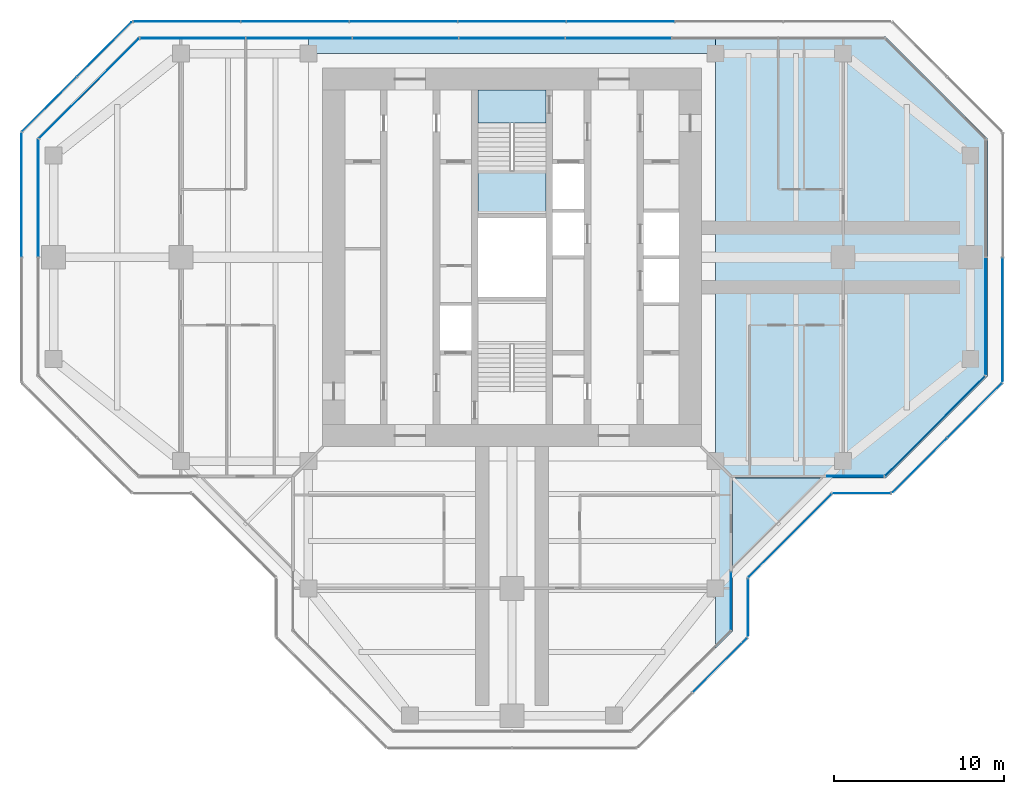
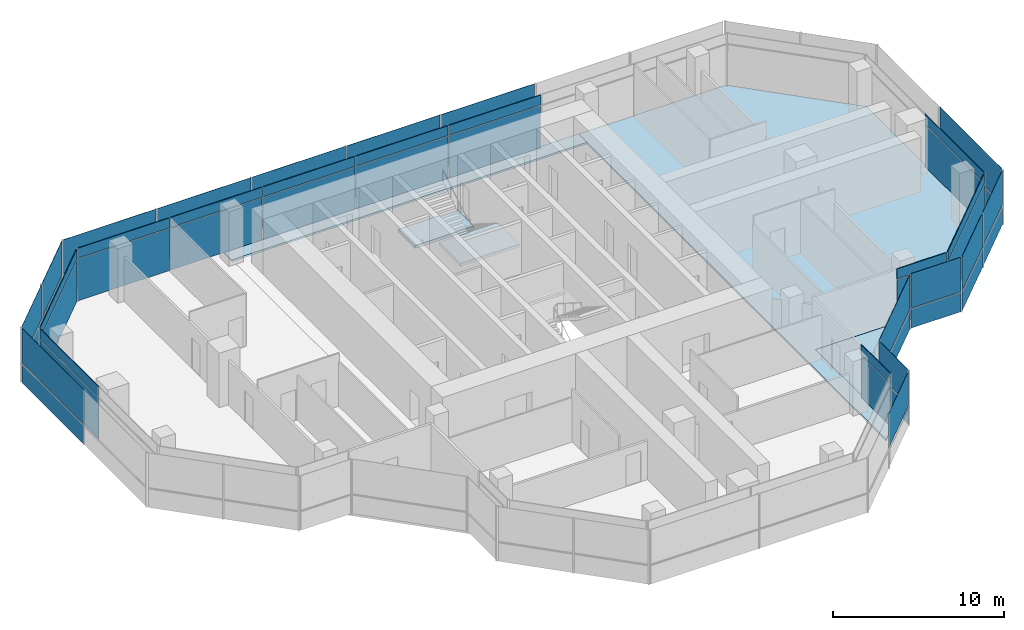
# One storey, part 10 of 16: 51 plates, 5 slabs, 17 elements without a shape of their own.
"""IFC4 building model written with IfcOpenShell, lengths in metres."""

from ifc_helpers import new_model, si_unit, direction, frame, origin, origin_2d, place, context, subcontext, project, spatial, polyline, rectangle, outline, extrude, material, layer, layer_set, type_object, element, aggregate, save


model = new_model("IFC4")

# Units and contexts
model_context = context("Model", 3, precision=1e-05, world=origin(), true_north=direction((0.0, 1.0)))
body_context = subcontext(model_context, "Body", "Model", "MODEL_VIEW")
ifc_project = project(units=[si_unit("LENGTHUNIT", "METRE"), si_unit("AREAUNIT", "SQUARE_METRE"), si_unit("VOLUMEUNIT", "CUBIC_METRE"), si_unit("PLANEANGLEUNIT", "RADIAN"), si_unit("MASSUNIT", "GRAM", prefix="KILO")], contexts=[model_context])

# Site, building, storey
site_placement = place(None, origin())
site = spatial("IfcSite", under=ifc_project, at=site_placement, CompositionType="ELEMENT")
building_placement = place(site_placement, origin())
building = spatial("IfcBuilding", under=site, at=building_placement, Name="Mizan Broadcast Tower", CompositionType="ELEMENT")
storey_placement = place(building_placement, frame((0.0, 0.0, 294.60009765625)))
storey = spatial("IfcBuildingStorey", under=building, at=storey_placement, Name="L70", CompositionType="ELEMENT", Elevation=294.60009765625)

# Slabs
ifc_material_1 = material(Name="Concrete C32/40", Category="concrete")
ifc_layer_1 = layer(ifc_material_1, 0.1298828125)
ifc_layer_set_1 = layer_set([ifc_layer_1], Name="Concrete C32/40")
slab_type_1 = type_object("IfcSlabType", Name="COMPOSITE DECK SLAB 130", PredefinedType="FLOOR", material=ifc_layer_set_1)
slab_1_placement = place(storey_placement, frame((0.0, 0.0, -0.130126953125)))
element("IfcSlab", 1, at=slab_1_placement, inside=storey, type_object=slab_type_1, Name="Floor slab L70 east arm", PredefinedType="FLOOR", context=body_context, shape_type="SweptSolid", body=[
    extrude(outline(polyline([(12.0, -23.0), (13.0, -22.0), (13.0, -13.0), (22.0, -13.0), (28.0, -7.0), (28.0, 7.0), (22.0, 13.0), (13.0, 13.0), (12.0, 13.0), (12.0, -23.0)])), origin(), (0.0, 0.0, 1.0), 0.130126953125),
])
slab_2_placement = place(storey_placement, frame((0.0, 0.0, -0.130126953125)))
element("IfcSlab", 2, at=slab_2_placement, inside=storey, type_object=slab_type_1, Name="Floor slab L70 north arm", PredefinedType="FLOOR", context=body_context, shape_type="SweptSolid", body=[
    extrude(outline(polyline([(12.0, 13.0), (-12.0, 13.0), (-12.0, 12.0), (12.0, 12.0), (12.0, 13.0)])), origin(), (0.0, 0.0, 1.0), 0.130126953125),
])

# Curtain wall, plate
ifc_material_2 = material(Name="Aluminium framed glazing", Category="aluminium")
curtain_wall_type_1 = type_object("IfcCurtainWallType", Name="INNER SKIN TOP ZONE", PredefinedType="USERDEFINED", material=ifc_material_2)
curtain_wall_1_placement = place(storey_placement, origin())
curtain_wall_1 = element("IfcCurtainWall", 3, at=curtain_wall_1_placement, inside=storey, type_object=curtain_wall_type_1, Name="Inner skin top zone L70 E side", ObjectType="INNER SKIN TOP ZONE", PredefinedType="USERDEFINED")
ifc_material_3 = material(Name="Double glazing, clear low-e", Category="glass")
ifc_layer_2 = layer(ifc_material_3, 0.028076171875)
ifc_layer_set_2 = layer_set([ifc_layer_2], Name="Double glazing, clear low-e")
plate_type_1 = type_object("IfcPlateType", Name="INNER SKIN GLAZING UNIT", PredefinedType="CURTAIN_PANEL", material=ifc_layer_set_2)
plate_1_placement = place(storey_placement, frame((20.229248046875, -12.89990234375, 0.0), z_axis=(0.0, 0.0, 1.0), x_axis=(1.0, 0.0, 0.0)))
plate_1 = element("IfcPlate", 4, at=plate_1_placement, type_object=plate_type_1, Name="Inner skin top zone L70 E side panel 1.1", PredefinedType="CURTAIN_PANEL", context=body_context, shape_type="SweptSolid", body=[
    extrude(rectangle(XDim=3.338623046875, YDim=0.028076171875, at=origin_2d()), origin(), (0.0, 0.0, 1.0), 3.0),
])

curtain_wall_2_placement = place(storey_placement, origin())
curtain_wall_2 = element("IfcCurtainWall", 5, at=curtain_wall_2_placement, inside=storey, type_object=curtain_wall_type_1, Name="Inner skin top zone L70 E chamfer", ObjectType="INNER SKIN TOP ZONE", PredefinedType="USERDEFINED")
plate_2_placement = place(storey_placement, frame((24.92919921875, -9.92919921875, 0.0), z_axis=(0.0, 0.0, 1.0), x_axis=(0.707106781187, 0.707106781187, 0.0)))
plate_2 = element("IfcPlate", 6, at=plate_2_placement, type_object=plate_type_1, Name="Inner skin top zone L70 E chamfer panel 1.1", PredefinedType="CURTAIN_PANEL", context=body_context, shape_type="SweptSolid", body=[
    extrude(rectangle(XDim=8.282470703125, YDim=0.028076171875, at=origin_2d()), origin(), (0.0, 0.0, 1.0), 3.0),
])

curtain_wall_3_placement = place(storey_placement, origin())
curtain_wall_3 = element("IfcCurtainWall", 7, at=curtain_wall_3_placement, inside=storey, type_object=curtain_wall_type_1, Name="Inner skin top zone L70 E end", ObjectType="INNER SKIN TOP ZONE", PredefinedType="USERDEFINED")
plate_3_placement = place(storey_placement, frame((27.89990234375, -3.46435546875, 0.0), z_axis=(0.0, 0.0, 1.0), x_axis=(0.0, 1.0, 0.0)))
plate_3 = element("IfcPlate", 8, at=plate_3_placement, type_object=plate_type_1, Name="Inner skin top zone L70 E end panel 1.1", PredefinedType="CURTAIN_PANEL", context=body_context, shape_type="SweptSolid", body=[
    extrude(rectangle(XDim=6.86865234375, YDim=0.028076171875, at=origin_2d()), origin(), (0.0, 0.0, 1.0), 3.0),
])

# Curtain wall, plates
curtain_wall_4_placement = place(storey_placement, origin())
curtain_wall_4 = element("IfcCurtainWall", 9, at=curtain_wall_4_placement, inside=storey, type_object=curtain_wall_type_1, Name="Inner skin top zone L70 N end", ObjectType="INNER SKIN TOP ZONE", PredefinedType="USERDEFINED")
plate_4_placement = place(storey_placement, frame((6.27392578125, 12.89990234375, 0.0), z_axis=(0.0, 0.0, 1.0), x_axis=(-1.0, 0.0, 0.0)))
plate_4 = element("IfcPlate", 10, at=plate_4_placement, type_object=plate_type_1, Name="Inner skin top zone L70 N end panel 3.1", PredefinedType="CURTAIN_PANEL", context=body_context, shape_type="SweptSolid", body=[
    extrude(rectangle(XDim=6.2138671875, YDim=0.028076171875, at=origin_2d()), origin(), (0.0, 0.0, 1.0), 3.0),
])
plate_5_placement = place(storey_placement, frame((0.0, 12.89990234375, 0.0), z_axis=(0.0, 0.0, 1.0), x_axis=(-1.0, 0.0, 0.0)))
plate_5 = element("IfcPlate", 11, at=plate_5_placement, type_object=plate_type_1, Name="Inner skin top zone L70 N end panel 4.1", PredefinedType="CURTAIN_PANEL", context=body_context, shape_type="SweptSolid", body=[
    extrude(rectangle(XDim=6.2138671875, YDim=0.028076171875, at=origin_2d()), origin(), (0.0, 0.0, 1.0), 3.0),
])
plate_6_placement = place(storey_placement, frame((-6.27392578125, 12.89990234375, 0.0), z_axis=(0.0, 0.0, 1.0), x_axis=(-1.0, 0.0, 0.0)))
plate_6 = element("IfcPlate", 12, at=plate_6_placement, type_object=plate_type_1, Name="Inner skin top zone L70 N end panel 5.1", PredefinedType="CURTAIN_PANEL", context=body_context, shape_type="SweptSolid", body=[
    extrude(rectangle(XDim=6.2138671875, YDim=0.028076171875, at=origin_2d()), origin(), (0.0, 0.0, 1.0), 3.0),
])
plate_7_placement = place(storey_placement, frame((-12.5478515625, 12.89990234375, 0.0), z_axis=(0.0, 0.0, 1.0), x_axis=(-1.0, 0.0, 0.0)))
plate_7 = element("IfcPlate", 13, at=plate_7_placement, type_object=plate_type_1, Name="Inner skin top zone L70 N end panel 6.1", PredefinedType="CURTAIN_PANEL", context=body_context, shape_type="SweptSolid", body=[
    extrude(rectangle(XDim=6.2138671875, YDim=0.028076171875, at=origin_2d()), origin(), (0.0, 0.0, 1.0), 3.0),
])
plate_8_placement = place(storey_placement, frame((-18.806640625, 12.89990234375, 0.0), z_axis=(0.0, 0.0, 1.0), x_axis=(-1.0, 0.0, 0.0)))
plate_8 = element("IfcPlate", 14, at=plate_8_placement, type_object=plate_type_1, Name="Inner skin top zone L70 N end panel 7.1", PredefinedType="CURTAIN_PANEL", context=body_context, shape_type="SweptSolid", body=[
    extrude(rectangle(XDim=6.183837890625, YDim=0.028076171875, at=origin_2d()), origin(), (0.0, 0.0, 1.0), 3.0),
])

# Curtain wall, plate
curtain_wall_5_placement = place(storey_placement, origin())
curtain_wall_5 = element("IfcCurtainWall", 15, at=curtain_wall_5_placement, inside=storey, type_object=curtain_wall_type_1, Name="Inner skin top zone L70 W chamfer", ObjectType="INNER SKIN TOP ZONE", PredefinedType="USERDEFINED")
plate_9_placement = place(storey_placement, frame((-24.92919921875, 9.92919921875, 0.0), z_axis=(0.0, 0.0, 1.0), x_axis=(-0.707106781187, -0.707106781187, 0.0)))
plate_9 = element("IfcPlate", 16, at=plate_9_placement, type_object=plate_type_1, Name="Inner skin top zone L70 W chamfer panel 1.1", PredefinedType="CURTAIN_PANEL", context=body_context, shape_type="SweptSolid", body=[
    extrude(rectangle(XDim=8.282470703125, YDim=0.028076171875, at=origin_2d()), origin(), (0.0, 0.0, 1.0), 3.0),
])

curtain_wall_6_placement = place(storey_placement, origin())
curtain_wall_6 = element("IfcCurtainWall", 17, at=curtain_wall_6_placement, inside=storey, type_object=curtain_wall_type_1, Name="Inner skin top zone L70 W end", ObjectType="INNER SKIN TOP ZONE", PredefinedType="USERDEFINED")
plate_10_placement = place(storey_placement, frame((-27.89990234375, 3.46435546875, 0.0), z_axis=(0.0, 0.0, 1.0), x_axis=(0.0, -1.0, 0.0)))
plate_10 = element("IfcPlate", 18, at=plate_10_placement, type_object=plate_type_1, Name="Inner skin top zone L70 W end panel 1.1", PredefinedType="CURTAIN_PANEL", context=body_context, shape_type="SweptSolid", body=[
    extrude(rectangle(XDim=6.86865234375, YDim=0.028076171875, at=origin_2d()), origin(), (0.0, 0.0, 1.0), 3.0),
])

curtain_wall_7_placement = place(storey_placement, origin())
curtain_wall_7 = element("IfcCurtainWall", 19, at=curtain_wall_7_placement, inside=storey, type_object=curtain_wall_type_1, Name="Inner skin top zone L70 S side", ObjectType="INNER SKIN TOP ZONE", PredefinedType="USERDEFINED")
plate_11_placement = place(storey_placement, frame((12.89990234375, -20.229248046875, 0.0), z_axis=(0.0, 0.0, 1.0), x_axis=(0.0, 1.0, 0.0)))
plate_11 = element("IfcPlate", 20, at=plate_11_placement, type_object=plate_type_1, Name="Inner skin top zone L70 S side panel 1.1", PredefinedType="CURTAIN_PANEL", context=body_context, shape_type="SweptSolid", body=[
    extrude(rectangle(XDim=3.338623046875, YDim=0.028076171875, at=origin_2d()), origin(), (0.0, 0.0, 1.0), 3.0),
])

# Plate
ifc_material_4 = material(Name="Insulated aluminium spandrel panel, pale anodised", Category="aluminium")
ifc_layer_3 = layer(ifc_material_4, 0.050048828125)
ifc_layer_set_3 = layer_set([ifc_layer_3], Name="Insulated aluminium spandrel panel, pale anodised")
plate_type_2 = type_object("IfcPlateType", Name="INNER SKIN SPANDREL PANEL", PredefinedType="CURTAIN_PANEL", material=ifc_layer_set_3)
plate_12_placement = place(storey_placement, frame((20.229248046875, -12.89990234375, 3.059814453125), z_axis=(0.0, 0.0, 1.0), x_axis=(1.0, 0.0, 0.0)))
plate_12 = element("IfcPlate", 21, at=plate_12_placement, type_object=plate_type_2, Name="Inner skin top zone L70 E side panel 1.2", PredefinedType="CURTAIN_PANEL", context=body_context, shape_type="SweptSolid", body=[
    extrude(rectangle(XDim=3.338623046875, YDim=0.050048828125, at=origin_2d()), origin(), (0.0, 0.0, 1.0), 0.7099609375),
])

aggregate(curtain_wall_1, [plate_1, plate_12])

plate_13_placement = place(storey_placement, frame((24.92919921875, -9.92919921875, 3.059814453125), z_axis=(0.0, 0.0, 1.0), x_axis=(0.707106781187, 0.707106781187, 0.0)))
plate_13 = element("IfcPlate", 22, at=plate_13_placement, type_object=plate_type_2, Name="Inner skin top zone L70 E chamfer panel 1.2", PredefinedType="CURTAIN_PANEL", context=body_context, shape_type="SweptSolid", body=[
    extrude(rectangle(XDim=8.282470703125, YDim=0.050048828125, at=origin_2d()), origin(), (0.0, 0.0, 1.0), 0.7099609375),
])

aggregate(curtain_wall_2, [plate_2, plate_13])

plate_14_placement = place(storey_placement, frame((27.89990234375, -3.46435546875, 3.059814453125), z_axis=(0.0, 0.0, 1.0), x_axis=(0.0, 1.0, 0.0)))
plate_14 = element("IfcPlate", 23, at=plate_14_placement, type_object=plate_type_2, Name="Inner skin top zone L70 E end panel 1.2", PredefinedType="CURTAIN_PANEL", context=body_context, shape_type="SweptSolid", body=[
    extrude(rectangle(XDim=6.86865234375, YDim=0.050048828125, at=origin_2d()), origin(), (0.0, 0.0, 1.0), 0.7099609375),
])

aggregate(curtain_wall_3, [plate_3, plate_14])

plate_15_placement = place(storey_placement, frame((6.27392578125, 12.89990234375, 3.059814453125), z_axis=(0.0, 0.0, 1.0), x_axis=(-1.0, 0.0, 0.0)))
plate_15 = element("IfcPlate", 24, at=plate_15_placement, type_object=plate_type_2, Name="Inner skin top zone L70 N end panel 3.2", PredefinedType="CURTAIN_PANEL", context=body_context, shape_type="SweptSolid", body=[
    extrude(rectangle(XDim=6.2138671875, YDim=0.050048828125, at=origin_2d()), origin(), (0.0, 0.0, 1.0), 0.7099609375),
])

plate_16_placement = place(storey_placement, frame((0.0, 12.89990234375, 3.059814453125), z_axis=(0.0, 0.0, 1.0), x_axis=(-1.0, 0.0, 0.0)))
plate_16 = element("IfcPlate", 25, at=plate_16_placement, type_object=plate_type_2, Name="Inner skin top zone L70 N end panel 4.2", PredefinedType="CURTAIN_PANEL", context=body_context, shape_type="SweptSolid", body=[
    extrude(rectangle(XDim=6.2138671875, YDim=0.050048828125, at=origin_2d()), origin(), (0.0, 0.0, 1.0), 0.7099609375),
])

plate_17_placement = place(storey_placement, frame((-6.27392578125, 12.89990234375, 3.059814453125), z_axis=(0.0, 0.0, 1.0), x_axis=(-1.0, 0.0, 0.0)))
plate_17 = element("IfcPlate", 26, at=plate_17_placement, type_object=plate_type_2, Name="Inner skin top zone L70 N end panel 5.2", PredefinedType="CURTAIN_PANEL", context=body_context, shape_type="SweptSolid", body=[
    extrude(rectangle(XDim=6.2138671875, YDim=0.050048828125, at=origin_2d()), origin(), (0.0, 0.0, 1.0), 0.7099609375),
])

plate_18_placement = place(storey_placement, frame((-12.5478515625, 12.89990234375, 3.059814453125), z_axis=(0.0, 0.0, 1.0), x_axis=(-1.0, 0.0, 0.0)))
plate_18 = element("IfcPlate", 27, at=plate_18_placement, type_object=plate_type_2, Name="Inner skin top zone L70 N end panel 6.2", PredefinedType="CURTAIN_PANEL", context=body_context, shape_type="SweptSolid", body=[
    extrude(rectangle(XDim=6.2138671875, YDim=0.050048828125, at=origin_2d()), origin(), (0.0, 0.0, 1.0), 0.7099609375),
])

plate_19_placement = place(storey_placement, frame((-18.806640625, 12.89990234375, 3.059814453125), z_axis=(0.0, 0.0, 1.0), x_axis=(-1.0, 0.0, 0.0)))
plate_19 = element("IfcPlate", 28, at=plate_19_placement, type_object=plate_type_2, Name="Inner skin top zone L70 N end panel 7.2", PredefinedType="CURTAIN_PANEL", context=body_context, shape_type="SweptSolid", body=[
    extrude(rectangle(XDim=6.183837890625, YDim=0.050048828125, at=origin_2d()), origin(), (0.0, 0.0, 1.0), 0.7099609375),
])

aggregate(curtain_wall_4, [plate_4, plate_15, plate_5, plate_16, plate_6, plate_17, plate_7, plate_18, plate_8, plate_19])

plate_20_placement = place(storey_placement, frame((-24.92919921875, 9.92919921875, 3.059814453125), z_axis=(0.0, 0.0, 1.0), x_axis=(-0.707106781187, -0.707106781187, 0.0)))
plate_20 = element("IfcPlate", 29, at=plate_20_placement, type_object=plate_type_2, Name="Inner skin top zone L70 W chamfer panel 1.2", PredefinedType="CURTAIN_PANEL", context=body_context, shape_type="SweptSolid", body=[
    extrude(rectangle(XDim=8.282470703125, YDim=0.050048828125, at=origin_2d()), origin(), (0.0, 0.0, 1.0), 0.7099609375),
])

aggregate(curtain_wall_5, [plate_9, plate_20])

plate_21_placement = place(storey_placement, frame((-27.89990234375, 3.46435546875, 3.059814453125), z_axis=(0.0, 0.0, 1.0), x_axis=(0.0, -1.0, 0.0)))
plate_21 = element("IfcPlate", 30, at=plate_21_placement, type_object=plate_type_2, Name="Inner skin top zone L70 W end panel 1.2", PredefinedType="CURTAIN_PANEL", context=body_context, shape_type="SweptSolid", body=[
    extrude(rectangle(XDim=6.86865234375, YDim=0.050048828125, at=origin_2d()), origin(), (0.0, 0.0, 1.0), 0.7099609375),
])

aggregate(curtain_wall_6, [plate_10, plate_21])

plate_22_placement = place(storey_placement, frame((12.89990234375, -20.229248046875, 3.059814453125), z_axis=(0.0, 0.0, 1.0), x_axis=(0.0, 1.0, 0.0)))
plate_22 = element("IfcPlate", 31, at=plate_22_placement, type_object=plate_type_2, Name="Inner skin top zone L70 S side panel 1.2", PredefinedType="CURTAIN_PANEL", context=body_context, shape_type="SweptSolid", body=[
    extrude(rectangle(XDim=3.338623046875, YDim=0.050048828125, at=origin_2d()), origin(), (0.0, 0.0, 1.0), 0.7099609375),
])

aggregate(curtain_wall_7, [plate_11, plate_22])

# Curtain wall, plates
ifc_material_5 = material(Name="Aluminium framed glazing", Category="aluminium")
curtain_wall_type_2 = type_object("IfcCurtainWallType", Name="OUTER SKIN", PredefinedType="USERDEFINED", material=ifc_material_5)
curtain_wall_8_placement = place(storey_placement, origin())
curtain_wall_8 = element("IfcCurtainWall", 32, at=curtain_wall_8_placement, inside=storey, type_object=curtain_wall_type_2, Name="Outer skin L70 S side", ObjectType="OUTER SKIN", PredefinedType="USERDEFINED")
ifc_material_6 = material(Name="Laminated clear glass", Category="glass")
ifc_layer_4 = layer(ifc_material_6, 0.02001953125)
ifc_layer_set_4 = layer_set([ifc_layer_4], Name="Laminated clear glass")
plate_type_3 = type_object("IfcPlateType", Name="OUTER SKIN CLEAR GLASS", PredefinedType="CURTAIN_PANEL", material=ifc_layer_set_4)
plate_23_placement = place(storey_placement, frame((13.89990234375, -20.622802734375, -0.000244140625), z_axis=(0.0, 0.0, 1.0), x_axis=(0.0, 1.0, 0.0)))
plate_23 = element("IfcPlate", 33, at=plate_23_placement, type_object=plate_type_3, Name="Outer skin L70 S side panel 1.1", PredefinedType="CURTAIN_PANEL", context=body_context, shape_type="SweptSolid", body=[
    extrude(rectangle(XDim=3.340087890625, YDim=0.02001953125, at=origin_2d()), origin(), (0.0, 0.0, 1.0), 1.3701171875),
])
plate_24_placement = place(storey_placement, frame((13.89990234375, -20.622802734375, 1.4296875), z_axis=(0.0, 0.0, 1.0), x_axis=(0.0, 1.0, 0.0)))
plate_24 = element("IfcPlate", 34, at=plate_24_placement, type_object=plate_type_3, Name="Outer skin L70 S side panel 1.2", PredefinedType="CURTAIN_PANEL", context=body_context, shape_type="SweptSolid", body=[
    extrude(rectangle(XDim=3.340087890625, YDim=0.02001953125, at=origin_2d()), origin(), (0.0, 0.0, 1.0), 2.469970703125),
])
aggregate(curtain_wall_8, [plate_23, plate_24])

curtain_wall_9_placement = place(storey_placement, origin())
curtain_wall_9 = element("IfcCurtainWall", 35, at=curtain_wall_9_placement, inside=storey, type_object=curtain_wall_type_2, Name="Outer skin L70 E chamfer", ObjectType="OUTER SKIN", PredefinedType="USERDEFINED")
plate_25_placement = place(storey_placement, frame((16.386474609375, -16.386474609375, -0.000244140625), z_axis=(0.0, 0.0, 1.0), x_axis=(0.707106781187, 0.707106781187, 0.0)))
plate_25 = element("IfcPlate", 36, at=plate_25_placement, type_object=plate_type_3, Name="Outer skin L70 E chamfer panel 1.1", PredefinedType="CURTAIN_PANEL", context=body_context, shape_type="SweptSolid", body=[
    extrude(rectangle(XDim=6.87255859375, YDim=0.02001953125, at=origin_2d()), origin(), (0.0, 0.0, 1.0), 1.3701171875),
])
plate_26_placement = place(storey_placement, frame((16.386474609375, -16.386474609375, 1.4296875), z_axis=(0.0, 0.0, 1.0), x_axis=(0.707106781187, 0.707106781187, 0.0)))
plate_26 = element("IfcPlate", 37, at=plate_26_placement, type_object=plate_type_3, Name="Outer skin L70 E chamfer panel 1.2", PredefinedType="CURTAIN_PANEL", context=body_context, shape_type="SweptSolid", body=[
    extrude(rectangle(XDim=6.87255859375, YDim=0.02001953125, at=origin_2d()), origin(), (0.0, 0.0, 1.0), 2.469970703125),
])
aggregate(curtain_wall_9, [plate_25, plate_26])

curtain_wall_10_placement = place(storey_placement, origin())
curtain_wall_10 = element("IfcCurtainWall", 38, at=curtain_wall_10_placement, inside=storey, type_object=curtain_wall_type_2, Name="Outer skin L70 E side", ObjectType="OUTER SKIN", PredefinedType="USERDEFINED")
plate_27_placement = place(storey_placement, frame((20.622802734375, -13.89990234375, -0.000244140625), z_axis=(0.0, 0.0, 1.0), x_axis=(1.0, 0.0, 0.0)))
plate_27 = element("IfcPlate", 39, at=plate_27_placement, type_object=plate_type_3, Name="Outer skin L70 E side panel 1.1", PredefinedType="CURTAIN_PANEL", context=body_context, shape_type="SweptSolid", body=[
    extrude(rectangle(XDim=3.340087890625, YDim=0.02001953125, at=origin_2d()), origin(), (0.0, 0.0, 1.0), 1.3701171875),
])
plate_28_placement = place(storey_placement, frame((20.622802734375, -13.89990234375, 1.4296875), z_axis=(0.0, 0.0, 1.0), x_axis=(1.0, 0.0, 0.0)))
plate_28 = element("IfcPlate", 40, at=plate_28_placement, type_object=plate_type_3, Name="Outer skin L70 E side panel 1.2", PredefinedType="CURTAIN_PANEL", context=body_context, shape_type="SweptSolid", body=[
    extrude(rectangle(XDim=3.340087890625, YDim=0.02001953125, at=origin_2d()), origin(), (0.0, 0.0, 1.0), 2.469970703125),
])
aggregate(curtain_wall_10, [plate_27, plate_28])

curtain_wall_11_placement = place(storey_placement, origin())
curtain_wall_11 = element("IfcCurtainWall", 41, at=curtain_wall_11_placement, inside=storey, type_object=curtain_wall_type_2, Name="Outer skin L70 E chamfer", ObjectType="OUTER SKIN", PredefinedType="USERDEFINED")
plate_29_placement = place(storey_placement, frame((24.018798828125, -12.254150390625, -0.000244140625), z_axis=(0.0, 0.0, 1.0), x_axis=(0.707106781187, 0.707106781187, 0.0)))
plate_29 = element("IfcPlate", 42, at=plate_29_placement, type_object=plate_type_3, Name="Outer skin L70 E chamfer panel 1.1", PredefinedType="CURTAIN_PANEL", context=body_context, shape_type="SweptSolid", body=[
    extrude(rectangle(XDim=4.495361328125, YDim=0.02001953125, at=origin_2d()), origin(), (0.0, 0.0, 1.0), 1.3701171875),
])
plate_30_placement = place(storey_placement, frame((24.018798828125, -12.254150390625, 1.4296875), z_axis=(0.0, 0.0, 1.0), x_axis=(0.707106781187, 0.707106781187, 0.0)))
plate_30 = element("IfcPlate", 43, at=plate_30_placement, type_object=plate_type_3, Name="Outer skin L70 E chamfer panel 1.2", PredefinedType="CURTAIN_PANEL", context=body_context, shape_type="SweptSolid", body=[
    extrude(rectangle(XDim=4.495361328125, YDim=0.02001953125, at=origin_2d()), origin(), (0.0, 0.0, 1.0), 2.469970703125),
])

curtain_wall_12_placement = place(storey_placement, origin())
curtain_wall_12 = element("IfcCurtainWall", 44, at=curtain_wall_12_placement, inside=storey, type_object=curtain_wall_type_2, Name="Outer skin L70 E end", ObjectType="OUTER SKIN", PredefinedType="USERDEFINED")
plate_31_placement = place(storey_placement, frame((28.89990234375, -3.66650390625, -0.000244140625), z_axis=(0.0, 0.0, 1.0), x_axis=(0.0, 1.0, 0.0)))
plate_31 = element("IfcPlate", 45, at=plate_31_placement, type_object=plate_type_3, Name="Outer skin L70 E end panel 1.1", PredefinedType="CURTAIN_PANEL", context=body_context, shape_type="SweptSolid", body=[
    extrude(rectangle(XDim=7.252685546875, YDim=0.02001953125, at=origin_2d()), origin(), (0.0, 0.0, 1.0), 1.3701171875),
])
plate_32_placement = place(storey_placement, frame((28.89990234375, -3.66650390625, 1.4296875), z_axis=(0.0, 0.0, 1.0), x_axis=(0.0, 1.0, 0.0)))
plate_32 = element("IfcPlate", 46, at=plate_32_placement, type_object=plate_type_3, Name="Outer skin L70 E end panel 1.2", PredefinedType="CURTAIN_PANEL", context=body_context, shape_type="SweptSolid", body=[
    extrude(rectangle(XDim=7.252685546875, YDim=0.02001953125, at=origin_2d()), origin(), (0.0, 0.0, 1.0), 2.469970703125),
])
aggregate(curtain_wall_12, [plate_31, plate_32])

curtain_wall_13_placement = place(storey_placement, origin())
curtain_wall_13 = element("IfcCurtainWall", 47, at=curtain_wall_13_placement, inside=storey, type_object=curtain_wall_type_2, Name="Outer skin L70 N end", ObjectType="OUTER SKIN", PredefinedType="USERDEFINED")
plate_33_placement = place(storey_placement, frame((6.392333984375, 13.89990234375, -0.000244140625), z_axis=(0.0, 0.0, 1.0), x_axis=(-1.0, 0.0, 0.0)))
plate_33 = element("IfcPlate", 48, at=plate_33_placement, type_object=plate_type_3, Name="Outer skin L70 N end panel 3.1", PredefinedType="CURTAIN_PANEL", context=body_context, shape_type="SweptSolid", body=[
    extrude(rectangle(XDim=6.312255859375, YDim=0.02001953125, at=origin_2d()), origin(), (0.0, 0.0, 1.0), 1.3701171875),
])
plate_34_placement = place(storey_placement, frame((6.392333984375, 13.89990234375, 1.4296875), z_axis=(0.0, 0.0, 1.0), x_axis=(-1.0, 0.0, 0.0)))
plate_34 = element("IfcPlate", 49, at=plate_34_placement, type_object=plate_type_3, Name="Outer skin L70 N end panel 3.2", PredefinedType="CURTAIN_PANEL", context=body_context, shape_type="SweptSolid", body=[
    extrude(rectangle(XDim=6.312255859375, YDim=0.02001953125, at=origin_2d()), origin(), (0.0, 0.0, 1.0), 2.469970703125),
])
plate_35_placement = place(storey_placement, frame((0.0, 13.89990234375, -0.000244140625), z_axis=(0.0, 0.0, 1.0), x_axis=(-1.0, 0.0, 0.0)))
plate_35 = element("IfcPlate", 50, at=plate_35_placement, type_object=plate_type_3, Name="Outer skin L70 N end panel 4.1", PredefinedType="CURTAIN_PANEL", context=body_context, shape_type="SweptSolid", body=[
    extrude(rectangle(XDim=6.312255859375, YDim=0.02001953125, at=origin_2d()), origin(), (0.0, 0.0, 1.0), 1.3701171875),
])
plate_36_placement = place(storey_placement, frame((0.0, 13.89990234375, 1.4296875), z_axis=(0.0, 0.0, 1.0), x_axis=(-1.0, 0.0, 0.0)))
plate_36 = element("IfcPlate", 51, at=plate_36_placement, type_object=plate_type_3, Name="Outer skin L70 N end panel 4.2", PredefinedType="CURTAIN_PANEL", context=body_context, shape_type="SweptSolid", body=[
    extrude(rectangle(XDim=6.312255859375, YDim=0.02001953125, at=origin_2d()), origin(), (0.0, 0.0, 1.0), 2.469970703125),
])
plate_37_placement = place(storey_placement, frame((-6.392333984375, 13.89990234375, -0.000244140625), z_axis=(0.0, 0.0, 1.0), x_axis=(-1.0, 0.0, 0.0)))
plate_37 = element("IfcPlate", 52, at=plate_37_placement, type_object=plate_type_3, Name="Outer skin L70 N end panel 5.1", PredefinedType="CURTAIN_PANEL", context=body_context, shape_type="SweptSolid", body=[
    extrude(rectangle(XDim=6.312255859375, YDim=0.02001953125, at=origin_2d()), origin(), (0.0, 0.0, 1.0), 1.3701171875),
])
plate_38_placement = place(storey_placement, frame((-6.392333984375, 13.89990234375, 1.4296875), z_axis=(0.0, 0.0, 1.0), x_axis=(-1.0, 0.0, 0.0)))
plate_38 = element("IfcPlate", 53, at=plate_38_placement, type_object=plate_type_3, Name="Outer skin L70 N end panel 5.2", PredefinedType="CURTAIN_PANEL", context=body_context, shape_type="SweptSolid", body=[
    extrude(rectangle(XDim=6.312255859375, YDim=0.02001953125, at=origin_2d()), origin(), (0.0, 0.0, 1.0), 2.469970703125),
])
plate_39_placement = place(storey_placement, frame((-12.784423828125, 13.89990234375, -0.000244140625), z_axis=(0.0, 0.0, 1.0), x_axis=(-1.0, 0.0, 0.0)))
plate_39 = element("IfcPlate", 54, at=plate_39_placement, type_object=plate_type_3, Name="Outer skin L70 N end panel 6.1", PredefinedType="CURTAIN_PANEL", context=body_context, shape_type="SweptSolid", body=[
    extrude(rectangle(XDim=6.312255859375, YDim=0.02001953125, at=origin_2d()), origin(), (0.0, 0.0, 1.0), 1.3701171875),
])
plate_40_placement = place(storey_placement, frame((-12.784423828125, 13.89990234375, 1.4296875), z_axis=(0.0, 0.0, 1.0), x_axis=(-1.0, 0.0, 0.0)))
plate_40 = element("IfcPlate", 55, at=plate_40_placement, type_object=plate_type_3, Name="Outer skin L70 N end panel 6.2", PredefinedType="CURTAIN_PANEL", context=body_context, shape_type="SweptSolid", body=[
    extrude(rectangle(XDim=6.312255859375, YDim=0.02001953125, at=origin_2d()), origin(), (0.0, 0.0, 1.0), 2.469970703125),
])
plate_41_placement = place(storey_placement, frame((-19.15673828125, 13.89990234375, -0.000244140625), z_axis=(0.0, 0.0, 1.0), x_axis=(-1.0, 0.0, 0.0)))
plate_41 = element("IfcPlate", 56, at=plate_41_placement, type_object=plate_type_3, Name="Outer skin L70 N end panel 7.1", PredefinedType="CURTAIN_PANEL", context=body_context, shape_type="SweptSolid", body=[
    extrude(rectangle(XDim=6.272216796875, YDim=0.02001953125, at=origin_2d()), origin(), (0.0, 0.0, 1.0), 1.3701171875),
])
plate_42_placement = place(storey_placement, frame((-19.15673828125, 13.89990234375, 1.4296875), z_axis=(0.0, 0.0, 1.0), x_axis=(-1.0, 0.0, 0.0)))
plate_42 = element("IfcPlate", 57, at=plate_42_placement, type_object=plate_type_3, Name="Outer skin L70 N end panel 7.2", PredefinedType="CURTAIN_PANEL", context=body_context, shape_type="SweptSolid", body=[
    extrude(rectangle(XDim=6.272216796875, YDim=0.02001953125, at=origin_2d()), origin(), (0.0, 0.0, 1.0), 2.469970703125),
])
aggregate(curtain_wall_13, [plate_33, plate_34, plate_35, plate_36, plate_37, plate_38, plate_39, plate_40, plate_41, plate_42])

curtain_wall_14_placement = place(storey_placement, origin())
curtain_wall_14 = element("IfcCurtainWall", 58, at=curtain_wall_14_placement, inside=storey, type_object=curtain_wall_type_2, Name="Outer skin L70 W chamfer", ObjectType="OUTER SKIN", PredefinedType="USERDEFINED")
plate_43_placement = place(storey_placement, frame((-24.018798828125, 12.254150390625, -0.000244140625), z_axis=(0.0, 0.0, 1.0), x_axis=(-0.707106781187, -0.707106781187, 0.0)))
plate_43 = element("IfcPlate", 59, at=plate_43_placement, type_object=plate_type_3, Name="Outer skin L70 W chamfer panel 1.1", PredefinedType="CURTAIN_PANEL", context=body_context, shape_type="SweptSolid", body=[
    extrude(rectangle(XDim=4.495361328125, YDim=0.02001953125, at=origin_2d()), origin(), (0.0, 0.0, 1.0), 1.3701171875),
])
plate_44_placement = place(storey_placement, frame((-24.018798828125, 12.254150390625, 1.4296875), z_axis=(0.0, 0.0, 1.0), x_axis=(-0.707106781187, -0.707106781187, 0.0)))
plate_44 = element("IfcPlate", 60, at=plate_44_placement, type_object=plate_type_3, Name="Outer skin L70 W chamfer panel 1.2", PredefinedType="CURTAIN_PANEL", context=body_context, shape_type="SweptSolid", body=[
    extrude(rectangle(XDim=4.495361328125, YDim=0.02001953125, at=origin_2d()), origin(), (0.0, 0.0, 1.0), 2.469970703125),
])

curtain_wall_15_placement = place(storey_placement, origin())
curtain_wall_15 = element("IfcCurtainWall", 61, at=curtain_wall_15_placement, inside=storey, type_object=curtain_wall_type_2, Name="Outer skin L70 W end", ObjectType="OUTER SKIN", PredefinedType="USERDEFINED")
plate_45_placement = place(storey_placement, frame((-28.89990234375, 3.66650390625, -0.000244140625), z_axis=(0.0, 0.0, 1.0), x_axis=(0.0, -1.0, 0.0)))
plate_45 = element("IfcPlate", 62, at=plate_45_placement, type_object=plate_type_3, Name="Outer skin L70 W end panel 1.1", PredefinedType="CURTAIN_PANEL", context=body_context, shape_type="SweptSolid", body=[
    extrude(rectangle(XDim=7.252685546875, YDim=0.02001953125, at=origin_2d()), origin(), (0.0, 0.0, 1.0), 1.3701171875),
])
plate_46_placement = place(storey_placement, frame((-28.89990234375, 3.66650390625, 1.4296875), z_axis=(0.0, 0.0, 1.0), x_axis=(0.0, -1.0, 0.0)))
plate_46 = element("IfcPlate", 63, at=plate_46_placement, type_object=plate_type_3, Name="Outer skin L70 W end panel 1.2", PredefinedType="CURTAIN_PANEL", context=body_context, shape_type="SweptSolid", body=[
    extrude(rectangle(XDim=7.252685546875, YDim=0.02001953125, at=origin_2d()), origin(), (0.0, 0.0, 1.0), 2.469970703125),
])
aggregate(curtain_wall_15, [plate_45, plate_46])

# Curtain wall, plate
curtain_wall_16_placement = place(storey_placement, origin())
curtain_wall_16 = element("IfcCurtainWall", 64, at=curtain_wall_16_placement, inside=storey, type_object=curtain_wall_type_2, Name="Outer skin L70 S chamfer", ObjectType="OUTER SKIN", PredefinedType="USERDEFINED")
ifc_material_7 = material(Name="Perforated aluminium, pale anodised", Category="aluminium")
ifc_layer_5 = layer(ifc_material_7, 0.011962890625)
ifc_layer_set_5 = layer_set([ifc_layer_5], Name="Perforated aluminium, pale anodised")
plate_type_4 = type_object("IfcPlateType", Name="OUTER SKIN PERFORATED SCREEN", PredefinedType="USERDEFINED", material=ifc_layer_set_5)
plate_47_placement = place(storey_placement, frame((12.254150390625, -24.018798828125, 1.4296875), z_axis=(0.0, 0.0, 1.0), x_axis=(0.707106781187, 0.707106781187, 0.0)))
plate_47 = element("IfcPlate", 65, at=plate_47_placement, type_object=plate_type_4, Name="Outer skin L70 S chamfer panel 2.2", ObjectType="SCREEN", PredefinedType="USERDEFINED", context=body_context, shape_type="SweptSolid", body=[
    extrude(rectangle(XDim=4.495361328125, YDim=0.011962890625, at=origin_2d()), origin(), (0.0, 0.0, 1.0), 2.469970703125),
])
aggregate(curtain_wall_16, [plate_47])

# Plate
plate_48_placement = place(storey_placement, frame((27.254150390625, -9.018798828125, -0.000244140625), z_axis=(0.0, 0.0, 1.0), x_axis=(0.707106781187, 0.707106781187, 0.0)))
plate_48 = element("IfcPlate", 66, at=plate_48_placement, type_object=plate_type_4, Name="Outer skin L70 E chamfer panel 2.1", ObjectType="SCREEN", PredefinedType="USERDEFINED", context=body_context, shape_type="SweptSolid", body=[
    extrude(rectangle(XDim=4.495361328125, YDim=0.011962890625, at=origin_2d()), origin(), (0.0, 0.0, 1.0), 1.3701171875),
])

plate_49_placement = place(storey_placement, frame((27.254150390625, -9.018798828125, 1.4296875), z_axis=(0.0, 0.0, 1.0), x_axis=(0.707106781187, 0.707106781187, 0.0)))
plate_49 = element("IfcPlate", 67, at=plate_49_placement, type_object=plate_type_4, Name="Outer skin L70 E chamfer panel 2.2", ObjectType="SCREEN", PredefinedType="USERDEFINED", context=body_context, shape_type="SweptSolid", body=[
    extrude(rectangle(XDim=4.495361328125, YDim=0.011962890625, at=origin_2d()), origin(), (0.0, 0.0, 1.0), 2.469970703125),
])

aggregate(curtain_wall_11, [plate_29, plate_30, plate_48, plate_49])

plate_50_placement = place(storey_placement, frame((-27.254150390625, 9.018798828125, -0.000244140625), z_axis=(0.0, 0.0, 1.0), x_axis=(-0.707106781187, -0.707106781187, 0.0)))
plate_50 = element("IfcPlate", 68, at=plate_50_placement, type_object=plate_type_4, Name="Outer skin L70 W chamfer panel 2.1", ObjectType="SCREEN", PredefinedType="USERDEFINED", context=body_context, shape_type="SweptSolid", body=[
    extrude(rectangle(XDim=4.495361328125, YDim=0.011962890625, at=origin_2d()), origin(), (0.0, 0.0, 1.0), 1.3701171875),
])

plate_51_placement = place(storey_placement, frame((-27.254150390625, 9.018798828125, 1.4296875), z_axis=(0.0, 0.0, 1.0), x_axis=(-0.707106781187, -0.707106781187, 0.0)))
plate_51 = element("IfcPlate", 69, at=plate_51_placement, type_object=plate_type_4, Name="Outer skin L70 W chamfer panel 2.2", ObjectType="SCREEN", PredefinedType="USERDEFINED", context=body_context, shape_type="SweptSolid", body=[
    extrude(rectangle(XDim=4.495361328125, YDim=0.011962890625, at=origin_2d()), origin(), (0.0, 0.0, 1.0), 2.469970703125),
])

aggregate(curtain_wall_14, [plate_43, plate_44, plate_50, plate_51])

# Stair, slabs
ifc_material_8 = material(Name="Concrete C40/50", Category="concrete")
stair_type = type_object("IfcStairType", Name="EXIT STAIR", PredefinedType="HALF_TURN_STAIR", material=ifc_material_8)
stair_placement = place(storey_placement, origin())
stair = element("IfcStair", 70, at=stair_placement, inside=storey, type_object=stair_type, Name="Stair B L70", PredefinedType="HALF_TURN_STAIR")
ifc_material_9 = material(Name="Concrete C40/50", Category="concrete")
ifc_layer_6 = layer(ifc_material_9, 0.199951171875)
ifc_layer_set_6 = layer_set([ifc_layer_6], Name="Concrete C40/50")
slab_type_2 = type_object("IfcSlabType", Name="STAIR LANDING 200", PredefinedType="LANDING", material=ifc_layer_set_6)
slab_3_placement = place(storey_placement, frame((0.0, 0.0, -0.2001953125)))
slab_3 = element("IfcSlab", 71, at=slab_3_placement, type_object=slab_type_2, Name="B landing 1", PredefinedType="LANDING", context=body_context, shape_type="SweptSolid", body=[
    extrude(outline(polyline([(2.0, 9.85009765625), (2.0, 7.89990234375), (-2.0, 7.89990234375), (-2.0, 9.85009765625), (2.0, 9.85009765625)])), origin(), (0.0, 0.0, 1.0), 0.2001953125),
])
slab_4_placement = place(storey_placement, frame((0.0, 0.0, 1.75)))
slab_4 = element("IfcSlab", 72, at=slab_4_placement, type_object=slab_type_2, Name="B landing 2", PredefinedType="LANDING", context=body_context, shape_type="SweptSolid", body=[
    extrude(outline(polyline([(2.0, 5.10009765625), (2.0, 2.574951171875), (-2.0, 2.574951171875), (-2.0, 5.10009765625), (2.0, 5.10009765625)])), origin(), (0.0, 0.0, 1.0), 0.199951171875),
])
aggregate(stair, [slab_3, slab_4])

# Slab
ifc_material_10 = material(Name="Concrete C32/40", Category="concrete")
ifc_layer_7 = layer(ifc_material_10, 0.1298828125)
ifc_layer_set_7 = layer_set([ifc_layer_7], Name="Concrete C32/40")
slab_type_3 = type_object("IfcSlabType", Name="WINTER GARDEN SLAB 130", PredefinedType="FLOOR", material=ifc_layer_set_7)
slab_5_placement = place(storey_placement, frame((0.0, 0.0, -0.130126953125)))
element("IfcSlab", 73, at=slab_5_placement, inside=storey, type_object=slab_type_3, Name="Winter garden slab L70 S", PredefinedType="FLOOR", context=body_context, shape_type="SweptSolid", body=[
    extrude(outline(polyline([(13.0, -13.0), (13.0, -18.5), (18.5, -13.0), (13.0, -13.0)])), origin(), (0.0, 0.0, 1.0), 0.130126953125),
])

save(model, "model.ifc")
